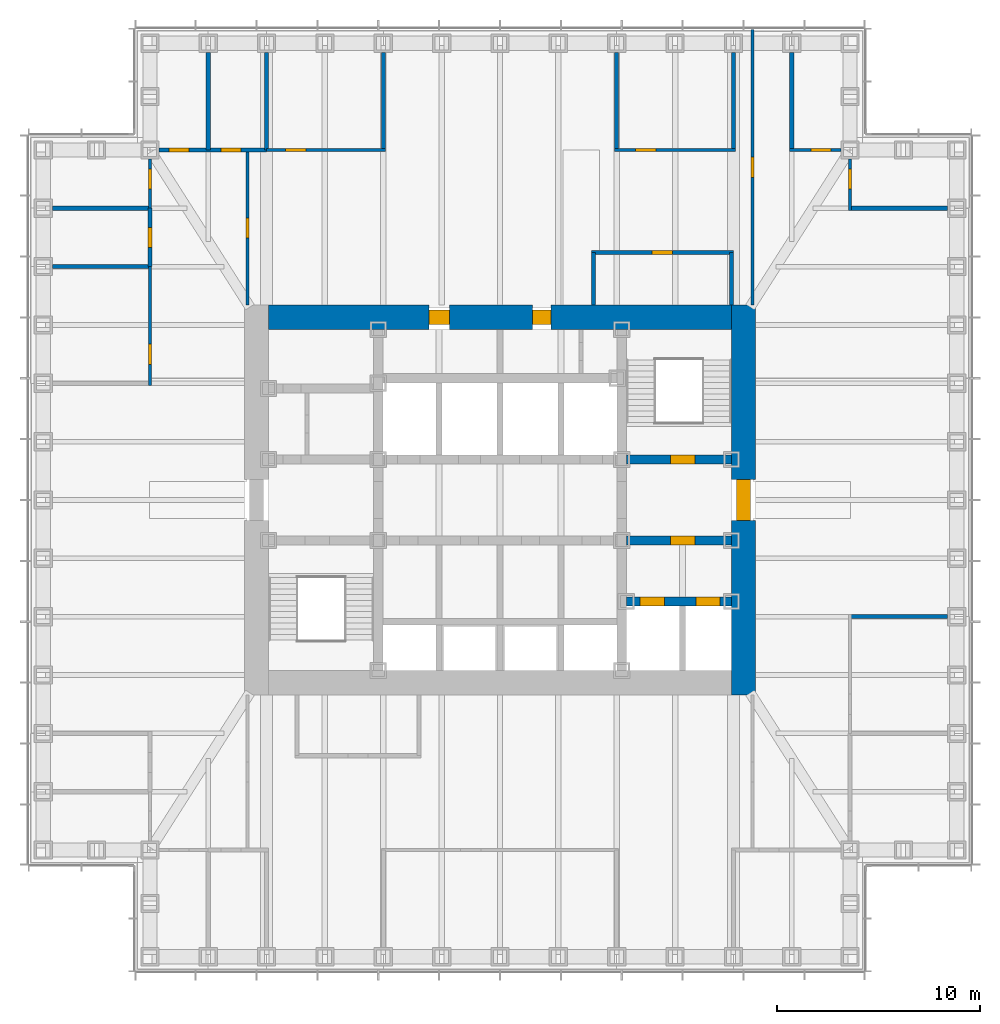
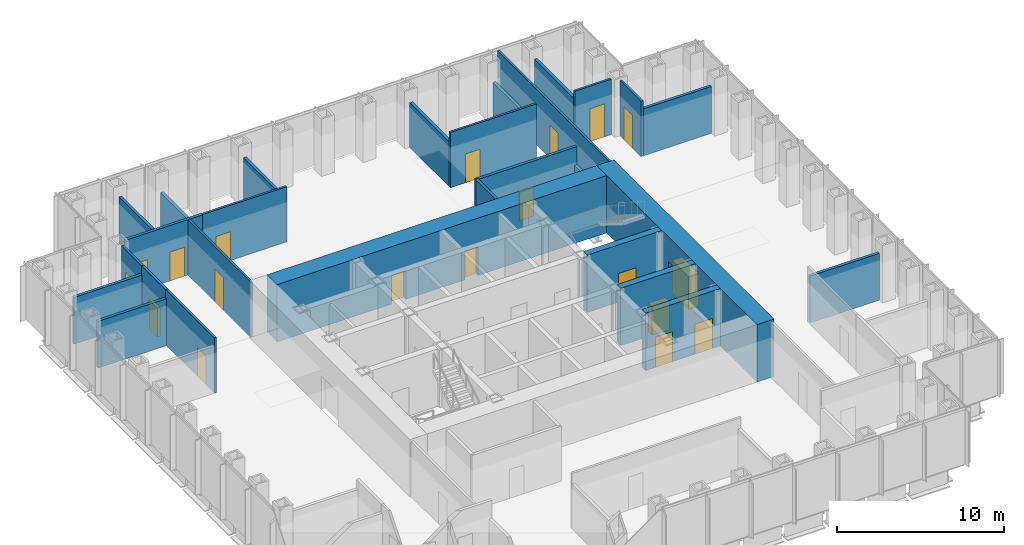
# One storey, part 10 of 17: 28 walls, 19 doors, 19 openings.
"""IFC4 building model written with IfcOpenShell, lengths in metres."""

import ifcopenshell
import ifcopenshell.guid

model = None  # the IFC model being written
_history = None  # IfcOwnerHistory: only IFC2X3 demands one
_inside = {}  # id of a spatial element -> (the spatial element, [elements in it])
_under = {}  # id of a project, library or spatial element -> (it, [spatial elements below it])
_declared = {}  # id of a project -> (the project, [libraries it declares])
_typed = {}  # id of a type object -> (the type object, [elements of that type])
_made_of = {}  # id of a material, layer set ... -> (it, [elements and type objects made of it])


def new_model(schema):
    """Start an empty IFC model of exactly this schema.

    Asked for "IFC4X3", IfcOpenShell would pick the latest addendum, in which some entities
    have other attributes; the version numbers below select the first issue.
    IFC2X3 requires an IfcOwnerHistory on every rooted entity: one is made here for all.
    """
    global model, _history
    if schema == "IFC4X3":
        model = ifcopenshell.file(schema_version=(4, 3, 0, 0))
    else:
        model = ifcopenshell.file(schema=schema)
    _inside.clear()
    _under.clear()
    _declared.clear()
    _typed.clear()
    _made_of.clear()
    _history = None
    if model.schema == "IFC2X3":
        org = make("IfcOrganization", Name="unknown")
        user = make(
            "IfcPersonAndOrganization",
            ThePerson=make("IfcPerson", FamilyName="unknown"),
            TheOrganization=org,
        )
        app = make(
            "IfcApplication",
            ApplicationDeveloper=org,
            Version="unknown",
            ApplicationFullName="unknown",
            ApplicationIdentifier="unknown",
        )
        _history = make(
            "IfcOwnerHistory",
            OwningUser=user,
            OwningApplication=app,
            ChangeAction="ADDED",
            CreationDate=0,
        )
    return model


def make(cls, **values):
    """One entity of the class cls with the attributes given. An attribute that is None is left unset."""
    return model.create_entity(
        cls, **{name: value for name, value in values.items() if value is not None}
    )


def rooted(cls, **values):
    """An entity with a GlobalId (a new one), such as an element, a storey or a relation."""
    return make(cls, GlobalId=ifcopenshell.guid.new(), OwnerHistory=_history, **values)


def si_unit(unit_type, name, prefix=None):
    """IfcSIUnit, for example si_unit("LENGTHUNIT", "METRE", prefix="MILLI")."""
    return make("IfcSIUnit", UnitType=unit_type, Prefix=prefix, Name=name)


def assignment(units):
    """IfcUnitAssignment: the units of a project."""
    return None if units is None else make("IfcUnitAssignment", Units=units)


def point(xyz):
    """IfcCartesianPoint."""
    return None if xyz is None else make("IfcCartesianPoint", Coordinates=xyz)


def direction(xyz):
    """IfcDirection."""
    return None if xyz is None else make("IfcDirection", DirectionRatios=xyz)


def frame(location, z_axis=None, x_axis=None):
    """IfcAxis2Placement3D, a coordinate frame: its origin and axes. An axis left out is left unset."""
    return make(
        "IfcAxis2Placement3D",
        Location=point(location),
        Axis=direction(z_axis),
        RefDirection=direction(x_axis),
    )


def frame_2d(location, x_axis=None):
    """IfcAxis2Placement2D, a coordinate frame in the plane: its origin and x axis."""
    return make(
        "IfcAxis2Placement2D", Location=point(location), RefDirection=direction(x_axis)
    )


def origin():
    """The frame at (0, 0, 0) with its axes left unset."""
    return frame((0.0, 0.0, 0.0))


def place(relative_to, where):
    """IfcLocalPlacement: puts the frame where relative to a parent placement (None: the world)."""
    return make(
        "IfcLocalPlacement", PlacementRelTo=relative_to, RelativePlacement=where
    )


def context(
    kind, dimensions, precision=None, world=None, true_north=None, identifier=None
):
    """IfcGeometricRepresentationContext, for example the 3D "Model" context."""
    return make(
        "IfcGeometricRepresentationContext",
        ContextIdentifier=identifier,
        ContextType=kind,
        CoordinateSpaceDimension=dimensions,
        Precision=precision,
        WorldCoordinateSystem=world,
        TrueNorth=true_north,
    )


def subcontext(parent, identifier, kind, view, scale=None):
    """IfcGeometricRepresentationSubContext, for example "Body" below "Model"."""
    return make(
        "IfcGeometricRepresentationSubContext",
        ContextIdentifier=identifier,
        ContextType=kind,
        ParentContext=parent,
        TargetScale=scale,
        TargetView=view,
    )


def project(units=None, contexts=None):
    """IfcProject with its units and contexts."""
    return rooted(
        "IfcProject",
        Name="project",
        RepresentationContexts=contexts,
        UnitsInContext=assignment(units),
    )


def spatial(cls, under=None, at=None, **own):
    """A site, building, storey or space (cls), placed at a placement, below another one or the project."""
    s = rooted(cls, ObjectPlacement=at, **own)
    if under is not None:
        _under.setdefault(under.id(), (under, []))[1].append(s)
    return s


def profile(cls, at=None, kind="AREA", **sizes):
    """A parametric profile (cls). Its sizes go by their IFC names, for example OverallWidth=200.0."""
    return make(cls, ProfileType=kind, Position=at, **sizes)


def rectangle(**sizes):
    """IfcRectangleProfileDef."""
    return profile("IfcRectangleProfileDef", **sizes)


def extrude(swept, where, along, depth):
    """IfcExtrudedAreaSolid: the profile swept, set in the frame where, extruded along a direction by depth."""
    return make(
        "IfcExtrudedAreaSolid",
        SweptArea=swept,
        Position=where,
        ExtrudedDirection=direction(along),
        Depth=depth,
    )


def shape(context_of_items, identifier, shape_type, items):
    """IfcShapeRepresentation: the items that make up one representation, for example the "Body"."""
    return make(
        "IfcShapeRepresentation",
        ContextOfItems=context_of_items,
        RepresentationIdentifier=identifier,
        RepresentationType=shape_type,
        Items=items,
    )


def material(Name=None, Category=None):
    """IfcMaterial."""
    return make("IfcMaterial", Name=Name, Category=Category)


def layer(
    of_material, thickness, ventilated=None, Name=None, Category=None, Priority=None
):
    """IfcMaterialLayer: one layer of a wall or slab, of a material (None: an air gap)."""
    return make(
        "IfcMaterialLayer",
        Material=of_material,
        LayerThickness=thickness,
        IsVentilated=ventilated,
        Name=Name,
        Category=Category,
        Priority=Priority,
    )


def layer_set(layers, Name=None):
    """IfcMaterialLayerSet."""
    return make("IfcMaterialLayerSet", MaterialLayers=layers, LayerSetName=Name)


def made_of(thing, what):
    """Note that an element or type object is made of a material, layer set ...; save() writes the relation."""
    if what is not None:
        _made_of.setdefault(what.id(), (what, []))[1].append(thing)
    return thing


def type_object(cls, material=None, **own):
    """A type object (cls), such as IfcWallType, which elements share."""
    return made_of(rooted(cls, **own), material)


def element(
    cls,
    number,
    at=None,
    inside=None,
    cuts=None,
    type_object=None,
    material=None,
    context=None,
    identifier="Body",
    shape_type=None,
    held_by="IfcProductDefinitionShape",
    body=None,
    shapes=None,
    **own,
):
    """One element of the class cls, such as IfcWall. Its Tag is "e" and its number.

    at: its placement. inside: the storey or other place that contains it. cuts: it is an
    opening in that element (IfcRelVoidsElement). A single representation is given by context,
    identifier, shape_type and body (its items); several are given by shapes. held_by: the class
    of the entity that holds the representations. save() writes the other relations.
    """
    e = rooted(cls, Tag="e%d" % number, ObjectPlacement=at, **own)
    if body is not None:
        shapes = [shape(context, identifier, shape_type, body)]
    if shapes is not None:
        e.Representation = make(held_by, Representations=shapes)
    if inside is not None:
        _inside.setdefault(inside.id(), (inside, []))[1].append(e)
    if cuts is not None:
        rooted(
            "IfcRelVoidsElement", RelatingBuildingElement=cuts, RelatedOpeningElement=e
        )
    if type_object is not None:
        _typed.setdefault(type_object.id(), (type_object, []))[1].append(e)
    return made_of(e, material)


def fill(opening, filler):
    """IfcRelFillsElement: the door or window that sits in an opening."""
    return rooted(
        "IfcRelFillsElement",
        RelatingOpeningElement=opening,
        RelatedBuildingElement=filler,
    )


def aggregate(whole, parts):
    """IfcRelAggregates: a whole, such as a stair, and the parts it consists of."""
    return rooted("IfcRelAggregates", RelatingObject=whole, RelatedObjects=parts)


def save(model, path):
    """Write the relations noted so far, then the file.

    IfcRelAggregates (storeys below a building ...), IfcRelContainedInSpatialStructure (elements
    in a storey), IfcRelDefinesByType, IfcRelAssociatesMaterial and IfcRelDeclares: one each for
    every whole, place, type object, material and project.
    """
    for whole, parts in _under.values():
        aggregate(whole, parts)
    for where, things in _inside.values():
        rooted(
            "IfcRelContainedInSpatialStructure",
            RelatedElements=things,
            RelatingStructure=where,
        )
    for kind, things in _typed.values():
        rooted("IfcRelDefinesByType", RelatedObjects=things, RelatingType=kind)
    for what, things in _made_of.values():
        rooted("IfcRelAssociatesMaterial", RelatedObjects=things, RelatingMaterial=what)
    for by, libraries in _declared.values():
        rooted("IfcRelDeclares", RelatingContext=by, RelatedDefinitions=libraries)
    model.write(path)


model = new_model("IFC4")

# Units and contexts
model_context = context("Model", 3, precision=1e-05, world=origin(), true_north=direction((0.0, 1.0)))
body_context = subcontext(model_context, "Body", "Model", "MODEL_VIEW")
ifc_project = project(units=[si_unit("LENGTHUNIT", "METRE"), si_unit("AREAUNIT", "SQUARE_METRE"), si_unit("VOLUMEUNIT", "CUBIC_METRE"), si_unit("PLANEANGLEUNIT", "RADIAN"), si_unit("MASSUNIT", "GRAM", prefix="KILO")], contexts=[model_context])

# Site, building, storey
site_placement = place(None, origin())
site = spatial("IfcSite", under=ifc_project, at=site_placement, CompositionType="ELEMENT")
building_placement = place(site_placement, origin())
building = spatial("IfcBuilding", under=site, at=building_placement, Name="Daluyong Arena Tower", CompositionType="ELEMENT")
storey_placement = place(building_placement, frame((0.0, 0.0, 145.89990234375)))
storey = spatial("IfcBuildingStorey", under=building, at=storey_placement, Name="L32", CompositionType="ELEMENT", Elevation=145.89990234375)

# Wall, openings, doors
ifc_material_1 = material(Name="Concrete fc' 45 MPa", Category="concrete")
ifc_layer_1 = layer(ifc_material_1, 0.449951171875)
ifc_layer_set_1 = layer_set([ifc_layer_1], Name="Concrete fc' 45 MPa")
wall_type_1 = type_object("IfcWallType", Name="Core inner wall 450", PredefinedType="SHEAR", material=ifc_layer_set_1)
wall_1_placement = place(storey_placement, frame((62.22509765625, 75.0, 0.0), z_axis=(0.0, 0.0, 1.0), x_axis=(1.0, 0.0, 0.0)))
wall_1 = element("IfcWall", 1, at=wall_1_placement, inside=storey, type_object=wall_type_1, Name="core inner wall at L32", PredefinedType="SHEAR", context=body_context, shape_type="SweptSolid", body=[
    extrude(rectangle(XDim=5.1748046875, YDim=0.449951171875, at=frame_2d((2.58740234375, 0.0))), origin(), (0.0, 0.0, 1.0), 4.2001953125),
])
opening_1_placement = place(wall_1_placement, frame((0.675048828125, 0.0, 0.0)))
opening_1 = element("IfcOpeningElement", 2, at=opening_1_placement, cuts=wall_1, Name="Opening 32022", PredefinedType="OPENING", context=body_context, shape_type="SweptSolid", body=[
    extrude(rectangle(XDim=1.199951171875, YDim=2.199951171875, at=frame_2d((0.60009765625, 1.10009765625))), frame((0.0, 0.23486328125, 0.0), z_axis=(0.0, -1.0, 0.0), x_axis=(1.0, 0.0, 0.0)), (0.0, 0.0, 1.0), 0.469970703125),
])
opening_2_placement = place(wall_1_placement, frame((3.425048828125, 0.0, 0.0)))
opening_2 = element("IfcOpeningElement", 3, at=opening_2_placement, cuts=wall_1, Name="Opening 32023", PredefinedType="OPENING", context=body_context, shape_type="SweptSolid", body=[
    extrude(rectangle(XDim=1.199951171875, YDim=2.199951171875, at=frame_2d((0.60009765625, 1.10009765625))), frame((0.0, 0.23486328125, 0.0), z_axis=(0.0, -1.0, 0.0), x_axis=(1.0, 0.0, 0.0)), (0.0, 0.0, 1.0), 0.469970703125),
])
ifc_material_2 = material(Name="Steel door, fire rated", Category="steel")
door_type_1 = type_object("IfcDoorType", Name="Firefighting lift landing door 1200", OperationType="SLIDING_TO_LEFT", PredefinedType="DOOR", material=ifc_material_2)
door_1_placement = place(opening_1_placement, origin())
door_1 = element("IfcDoor", 4, at=door_1_placement, inside=storey, type_object=door_type_1, Name="firefighting lift landing door F1 32022", OperationType="SLIDING_TO_LEFT", OverallHeight=2.199951171875, OverallWidth=1.199951171875, PredefinedType="DOOR", context=body_context, shape_type="SweptSolid", body=[
    extrude(rectangle(XDim=1.199951171875, YDim=2.199951171875, at=frame_2d((0.60009765625, 1.10009765625))), frame((0.0, 0.224609375, 0.0), z_axis=(0.0, -1.0, 0.0), x_axis=(1.0, 0.0, 0.0)), (0.0, 0.0, 1.0), 0.449462890625),
])
fill(opening_1, door_1)
door_2_placement = place(opening_2_placement, origin())
door_2 = element("IfcDoor", 5, at=door_2_placement, inside=storey, type_object=door_type_1, Name="firefighting lift landing door F2 32023", OperationType="SLIDING_TO_LEFT", OverallHeight=2.199951171875, OverallWidth=1.199951171875, PredefinedType="DOOR", context=body_context, shape_type="SweptSolid", body=[
    extrude(rectangle(XDim=1.199951171875, YDim=2.199951171875, at=frame_2d((0.60009765625, 1.10009765625))), frame((0.0, 0.224609375, 0.0), z_axis=(0.0, -1.0, 0.0), x_axis=(1.0, 0.0, 0.0)), (0.0, 0.0, 1.0), 0.449462890625),
])
fill(opening_2, door_2)

# Wall, opening, door
wall_2_placement = place(storey_placement, frame((62.22509765625, 78.0, 0.0), z_axis=(0.0, 0.0, 1.0), x_axis=(1.0, 0.0, 0.0)))
wall_2 = element("IfcWall", 6, at=wall_2_placement, inside=storey, type_object=wall_type_1, Name="core inner wall at L32", PredefinedType="SHEAR", context=body_context, shape_type="SweptSolid", body=[
    extrude(rectangle(XDim=5.1748046875, YDim=0.449951171875, at=frame_2d((2.58740234375, 0.0))), origin(), (0.0, 0.0, 1.0), 4.2001953125),
])
opening_3_placement = place(wall_2_placement, frame((2.175048828125, 0.0, 0.0)))
opening_3 = element("IfcOpeningElement", 7, at=opening_3_placement, cuts=wall_2, Name="Opening 32017", PredefinedType="OPENING", context=body_context, shape_type="SweptSolid", body=[
    extrude(rectangle(XDim=1.199951171875, YDim=2.10009765625, at=frame_2d((0.60009765625, 1.050048828125))), frame((0.0, 0.23486328125, 0.0), z_axis=(0.0, -1.0, 0.0), x_axis=(1.0, 0.0, 0.0)), (0.0, 0.0, 1.0), 0.469970703125),
])
ifc_material_3 = material(Name="Steel door, fire rated", Category="steel")
door_type_2 = type_object("IfcDoorType", Name="Firefighting lobby door 1200", OperationType="SINGLE_SWING_RIGHT", PredefinedType="DOOR", material=ifc_material_3)
door_3_placement = place(opening_3_placement, origin())
door_3 = element("IfcDoor", 8, at=door_3_placement, inside=storey, type_object=door_type_2, Name="firefighting lobby door 32017", OperationType="SINGLE_SWING_RIGHT", OverallHeight=2.10009765625, OverallWidth=1.199951171875, PredefinedType="DOOR", context=body_context, shape_type="SweptSolid", body=[
    extrude(rectangle(XDim=1.199951171875, YDim=2.10009765625, at=frame_2d((0.60009765625, 1.050048828125))), frame((0.0, 0.224609375, 0.0), z_axis=(0.0, -1.0, 0.0), x_axis=(1.0, 0.0, 0.0)), (0.0, 0.0, 1.0), 0.449462890625),
])
fill(opening_3, door_3)

wall_3_placement = place(storey_placement, frame((62.22509765625, 82.0, 0.0), z_axis=(0.0, 0.0, 1.0), x_axis=(1.0, 0.0, 0.0)))
wall_3 = element("IfcWall", 9, at=wall_3_placement, inside=storey, type_object=wall_type_1, Name="core inner wall at L32", PredefinedType="SHEAR", context=body_context, shape_type="SweptSolid", body=[
    extrude(rectangle(XDim=5.1748046875, YDim=0.449951171875, at=frame_2d((2.58740234375, 0.0))), origin(), (0.0, 0.0, 1.0), 4.2001953125),
])
opening_4_placement = place(wall_3_placement, frame((2.175048828125, 0.0, 0.0)))
opening_4 = element("IfcOpeningElement", 10, at=opening_4_placement, cuts=wall_3, Name="Opening 32012", PredefinedType="OPENING", context=body_context, shape_type="SweptSolid", body=[
    extrude(rectangle(XDim=1.199951171875, YDim=2.10009765625, at=frame_2d((0.60009765625, 1.050048828125))), frame((0.0, 0.23486328125, 0.0), z_axis=(0.0, -1.0, 0.0), x_axis=(1.0, 0.0, 0.0)), (0.0, 0.0, 1.0), 0.469970703125),
])
ifc_material_4 = material(Name="Steel door, fire rated", Category="steel")
door_type_3 = type_object("IfcDoorType", Name="Stair door 1200", OperationType="SINGLE_SWING_LEFT", PredefinedType="DOOR", material=ifc_material_4)
door_4_placement = place(opening_4_placement, origin())
door_4 = element("IfcDoor", 11, at=door_4_placement, inside=storey, type_object=door_type_3, Name="stair B door 32012", OperationType="SINGLE_SWING_LEFT", OverallHeight=2.10009765625, OverallWidth=1.199951171875, PredefinedType="DOOR", context=body_context, shape_type="SweptSolid", body=[
    extrude(rectangle(XDim=1.199951171875, YDim=2.10009765625, at=frame_2d((0.60009765625, 1.050048828125))), frame((0.0, 0.224609375, 0.0), z_axis=(0.0, -1.0, 0.0), x_axis=(1.0, 0.0, 0.0)), (0.0, 0.0, 1.0), 0.449462890625),
])
fill(opening_4, door_4)

ifc_material_5 = material(Name="Concrete fc' 60 MPa", Category="concrete")
ifc_layer_2 = layer(ifc_material_5, 1.199951171875)
ifc_layer_set_2 = layer_set([ifc_layer_2], Name="Concrete fc' 60 MPa")
wall_type_2 = type_object("IfcWallType", Name="Core wall 1200", PredefinedType="SHEAR", material=ifc_layer_set_2)
wall_4_placement = place(storey_placement, frame((68.0, 70.39990234375, 0.0), z_axis=(0.0, 0.0, 1.0), x_axis=(0.0, 1.0, 0.0)))
wall_4 = element("IfcWall", 12, at=wall_4_placement, inside=storey, type_object=wall_type_2, Name="core wall at L32", PredefinedType="SHEAR", context=body_context, shape_type="SweptSolid", body=[
    extrude(rectangle(XDim=19.2001953125, YDim=1.199951171875, at=frame_2d((9.60009765625, 0.0))), origin(), (0.0, 0.0, 1.0), 4.2001953125),
])
opening_5_placement = place(wall_4_placement, frame((8.60009765625, 0.0, 0.0)))
opening_5 = element("IfcOpeningElement", 13, at=opening_5_placement, cuts=wall_4, Name="Opening 32014", PredefinedType="OPENING", context=body_context, shape_type="SweptSolid", body=[
    extrude(rectangle(XDim=2.0, YDim=2.39990234375, at=frame_2d((1.0, 1.199951171875))), frame((0.0, 0.60986328125, 0.0), z_axis=(0.0, -1.0, 0.0), x_axis=(1.0, 0.0, 0.0)), (0.0, 0.0, 1.0), 1.219970703125),
])
ifc_material_6 = material(Name="Steel door, fire rated", Category="steel")
door_type_4 = type_object("IfcDoorType", Name="Core lobby double door 2000", OperationType="DOUBLE_DOOR_SINGLE_SWING", PredefinedType="DOOR", material=ifc_material_6)
door_5_placement = place(opening_5_placement, origin())
door_5 = element("IfcDoor", 14, at=door_5_placement, inside=storey, type_object=door_type_4, Name="core lobby door east 32014", OperationType="DOUBLE_DOOR_SINGLE_SWING", OverallHeight=2.39990234375, OverallWidth=2.0, PredefinedType="DOOR", context=body_context, shape_type="SweptSolid", body=[
    extrude(rectangle(XDim=2.0, YDim=2.39990234375, at=frame_2d((1.0, 1.199951171875))), frame((0.0, 0.35009765625, 0.0), z_axis=(0.0, -1.0, 0.0), x_axis=(1.0, 0.0, 0.0)), (0.0, 0.0, 1.0), 0.699951171875),
])
fill(opening_5, door_5)

# Wall, openings, doors
wall_5_placement = place(storey_placement, frame((44.60009765625, 89.0, 0.0), z_axis=(0.0, 0.0, 1.0), x_axis=(1.0, 0.0, 0.0)))
wall_5 = element("IfcWall", 15, at=wall_5_placement, inside=storey, type_object=wall_type_2, Name="core wall at L32", PredefinedType="SHEAR", context=body_context, shape_type="SweptSolid", body=[
    extrude(rectangle(XDim=22.7998046875, YDim=1.199951171875, at=frame_2d((11.39990234375, 0.0))), origin(), (0.0, 0.0, 1.0), 4.2001953125),
])
opening_6_placement = place(wall_5_placement, frame((7.89990234375, 0.0, 0.0)))
opening_6 = element("IfcOpeningElement", 16, at=opening_6_placement, cuts=wall_5, Name="Opening 32004", PredefinedType="OPENING", context=body_context, shape_type="SweptSolid", body=[
    extrude(rectangle(XDim=1.0, YDim=2.10009765625, at=frame_2d((0.5, 1.050048828125))), frame((0.0, 0.60986328125, 0.0), z_axis=(0.0, -1.0, 0.0), x_axis=(1.0, 0.0, 0.0)), (0.0, 0.0, 1.0), 1.219970703125),
])
opening_7_placement = place(wall_5_placement, frame((13.012451171875, 0.0, 0.0)))
opening_7 = element("IfcOpeningElement", 17, at=opening_7_placement, cuts=wall_5, Name="Opening 32005", PredefinedType="OPENING", context=body_context, shape_type="SweptSolid", body=[
    extrude(rectangle(XDim=0.89990234375, YDim=2.10009765625, at=frame_2d((0.449951171875, 1.050048828125))), frame((0.0, 0.60986328125, 0.0), z_axis=(0.0, -1.0, 0.0), x_axis=(1.0, 0.0, 0.0)), (0.0, 0.0, 1.0), 1.219970703125),
])
ifc_material_7 = material(Name="Timber door", Category="wood")
door_type_5 = type_object("IfcDoorType", Name="Accessible toilet door 1000", OperationType="SINGLE_SWING_LEFT", PredefinedType="DOOR", material=ifc_material_7)
door_6_placement = place(opening_6_placement, origin())
door_6 = element("IfcDoor", 18, at=door_6_placement, inside=storey, type_object=door_type_5, Name="accessible toilet door 32004", OperationType="SINGLE_SWING_LEFT", OverallHeight=2.10009765625, OverallWidth=1.0, PredefinedType="DOOR", context=body_context, shape_type="SweptSolid", body=[
    extrude(rectangle(XDim=1.0, YDim=2.10009765625, at=frame_2d((0.5, 1.050048828125))), frame((0.0, 0.35009765625, 0.0), z_axis=(0.0, -1.0, 0.0), x_axis=(1.0, 0.0, 0.0)), (0.0, 0.0, 1.0), 0.699951171875),
])
fill(opening_6, door_6)
ifc_material_8 = material(Name="Steel door, fire rated", Category="steel")
door_type_6 = type_object("IfcDoorType", Name="Core store door 900", OperationType="SINGLE_SWING_LEFT", PredefinedType="DOOR", material=ifc_material_8)
door_7_placement = place(opening_7_placement, origin())
door_7 = element("IfcDoor", 19, at=door_7_placement, inside=storey, type_object=door_type_6, Name="security store door 32005", OperationType="SINGLE_SWING_LEFT", OverallHeight=2.10009765625, OverallWidth=0.89990234375, PredefinedType="DOOR", context=body_context, shape_type="SweptSolid", body=[
    extrude(rectangle(XDim=0.89990234375, YDim=2.10009765625, at=frame_2d((0.449951171875, 1.050048828125))), frame((0.0, 0.35009765625, 0.0), z_axis=(0.0, -1.0, 0.0), x_axis=(1.0, 0.0, 0.0)), (0.0, 0.0, 1.0), 0.699951171875),
])
fill(opening_7, door_7)

# Wall, opening, door
ifc_material_9 = material(Name="Glazed aluminium partition", Category="aluminium")
ifc_layer_3 = layer(ifc_material_9, 0.14990234375)
ifc_layer_set_3 = layer_set([ifc_layer_3], Name="Glazed aluminium partition")
wall_type_3 = type_object("IfcWallType", Name="Glazed partition 150", PredefinedType="PARTITIONING", material=ifc_layer_set_3)
wall_6_placement = place(storey_placement, frame((44.5, 97.25, 0.0), z_axis=(0.0, 0.0, 1.0), x_axis=(1.0, 0.0, 0.0)))
wall_6 = element("IfcWall", 20, at=wall_6_placement, inside=storey, type_object=wall_type_3, Name="glazed partition at L32", PredefinedType="PARTITIONING", context=body_context, shape_type="SweptSolid", body=[
    extrude(rectangle(XDim=5.85009765625, YDim=0.14990234375, at=frame_2d((2.925048828125, 0.0))), origin(), (0.0, 0.0, 1.0), 4.0400390625),
])
opening_8_placement = place(wall_6_placement, frame((0.9375, 0.0, 0.0)))
opening_8 = element("IfcOpeningElement", 21, at=opening_8_placement, cuts=wall_6, Name="Opening 32033", PredefinedType="OPENING", context=body_context, shape_type="SweptSolid", body=[
    extrude(rectangle(XDim=1.0, YDim=2.10009765625, at=frame_2d((0.5, 1.050048828125))), frame((0.0, 0.0849609375, 0.0), z_axis=(0.0, -1.0, 0.0), x_axis=(1.0, 0.0, 0.0)), (0.0, 0.0, 1.0), 0.169921875),
])
ifc_material_10 = material(Name="Timber door", Category="wood")
door_type_7 = type_object("IfcDoorType", Name="Room door 1000", OperationType="SINGLE_SWING_LEFT", PredefinedType="DOOR", material=ifc_material_10)
door_8_placement = place(opening_8_placement, origin())
door_8 = element("IfcDoor", 22, at=door_8_placement, inside=storey, type_object=door_type_7, Name="office door 32033", OperationType="SINGLE_SWING_LEFT", OverallHeight=2.10009765625, OverallWidth=1.0, PredefinedType="DOOR", context=body_context, shape_type="SweptSolid", body=[
    extrude(rectangle(XDim=1.0, YDim=2.10009765625, at=frame_2d((0.5, 1.050048828125))), frame((0.0, 0.07470703125, 0.0), z_axis=(0.0, -1.0, 0.0), x_axis=(1.0, 0.0, 0.0)), (0.0, 0.0, 1.0), 0.1494140625),
])
fill(opening_8, door_8)

wall_7_placement = place(storey_placement, frame((61.64990234375, 97.25, 0.0), z_axis=(0.0, 0.0, 1.0), x_axis=(1.0, 0.0, 0.0)))
wall_7 = element("IfcWall", 23, at=wall_7_placement, inside=storey, type_object=wall_type_3, Name="glazed partition at L32", PredefinedType="PARTITIONING", context=body_context, shape_type="SweptSolid", body=[
    extrude(rectangle(XDim=5.9501953125, YDim=0.14990234375, at=frame_2d((2.97509765625, 0.0))), origin(), (0.0, 0.0, 1.0), 4.0400390625),
])
opening_9_placement = place(wall_7_placement, frame((1.03759765625, 0.0, 0.0)))
opening_9 = element("IfcOpeningElement", 24, at=opening_9_placement, cuts=wall_7, Name="Opening 32034", PredefinedType="OPENING", context=body_context, shape_type="SweptSolid", body=[
    extrude(rectangle(XDim=1.0, YDim=2.10009765625, at=frame_2d((0.5, 1.050048828125))), frame((0.0, 0.0849609375, 0.0), z_axis=(0.0, -1.0, 0.0), x_axis=(1.0, 0.0, 0.0)), (0.0, 0.0, 1.0), 0.169921875),
])
door_9_placement = place(opening_9_placement, origin())
door_9 = element("IfcDoor", 25, at=door_9_placement, inside=storey, type_object=door_type_7, Name="office door 32034", OperationType="SINGLE_SWING_LEFT", OverallHeight=2.10009765625, OverallWidth=1.0, PredefinedType="DOOR", context=body_context, shape_type="SweptSolid", body=[
    extrude(rectangle(XDim=1.0, YDim=2.10009765625, at=frame_2d((0.5, 1.050048828125))), frame((0.0, 0.07470703125, 0.0), z_axis=(0.0, -1.0, 0.0), x_axis=(1.0, 0.0, 0.0)), (0.0, 0.0, 1.0), 0.1494140625),
])
fill(opening_9, door_9)

wall_8_placement = place(storey_placement, frame((70.27490234375, 97.25, 0.0), z_axis=(0.0, 0.0, 1.0), x_axis=(1.0, 0.0, 0.0)))
wall_8 = element("IfcWall", 26, at=wall_8_placement, inside=storey, type_object=wall_type_3, Name="glazed partition at L32", PredefinedType="PARTITIONING", context=body_context, shape_type="SweptSolid", body=[
    extrude(rectangle(XDim=2.525146484375, YDim=0.14990234375, at=frame_2d((1.2626953125, 0.0))), origin(), (0.0, 0.0, 1.0), 4.0400390625),
])
opening_10_placement = place(wall_8_placement, frame((1.03759765625, 0.0, 0.0)))
opening_10 = element("IfcOpeningElement", 27, at=opening_10_placement, cuts=wall_8, Name="Opening 32035", PredefinedType="OPENING", context=body_context, shape_type="SweptSolid", body=[
    extrude(rectangle(XDim=1.0, YDim=2.39990234375, at=frame_2d((0.5, 1.199951171875))), frame((0.0, 0.0849609375, 0.0), z_axis=(0.0, -1.0, 0.0), x_axis=(1.0, 0.0, 0.0)), (0.0, 0.0, 1.0), 0.169921875),
])
ifc_material_11 = material(Name="Glazed aluminium door", Category="aluminium")
door_type_8 = type_object("IfcDoorType", Name="Meeting room glazed door 1000", OperationType="SINGLE_SWING_RIGHT", PredefinedType="DOOR", material=ifc_material_11)
door_10_placement = place(opening_10_placement, origin())
door_10 = element("IfcDoor", 28, at=door_10_placement, inside=storey, type_object=door_type_8, Name="meeting room door 32035", OperationType="SINGLE_SWING_RIGHT", OverallHeight=2.39990234375, OverallWidth=1.0, PredefinedType="DOOR", context=body_context, shape_type="SweptSolid", body=[
    extrude(rectangle(XDim=1.0, YDim=2.39990234375, at=frame_2d((0.5, 1.199951171875))), frame((0.0, 0.07470703125, 0.0), z_axis=(0.0, -1.0, 0.0), x_axis=(1.0, 0.0, 0.0)), (0.0, 0.0, 1.0), 0.1494140625),
])
fill(opening_10, door_10)

wall_9_placement = place(storey_placement, frame((38.75, 85.64990234375, 0.0), z_axis=(0.0, 0.0, 1.0), x_axis=(0.0, 1.0, 0.0)))
wall_9 = element("IfcWall", 29, at=wall_9_placement, inside=storey, type_object=wall_type_3, Name="glazed partition at L32", PredefinedType="PARTITIONING", context=body_context, shape_type="SweptSolid", body=[
    extrude(rectangle(XDim=5.85009765625, YDim=0.14990234375, at=frame_2d((2.925048828125, 0.0))), origin(), (0.0, 0.0, 1.0), 4.0400390625),
])
opening_11_placement = place(wall_9_placement, frame((1.03759765625, 0.0, 0.0)))
opening_11 = element("IfcOpeningElement", 30, at=opening_11_placement, cuts=wall_9, Name="Opening 32038", PredefinedType="OPENING", context=body_context, shape_type="SweptSolid", body=[
    extrude(rectangle(XDim=1.0, YDim=2.10009765625, at=frame_2d((0.5, 1.050048828125))), frame((0.0, 0.0849609375, 0.0), z_axis=(0.0, -1.0, 0.0), x_axis=(1.0, 0.0, 0.0)), (0.0, 0.0, 1.0), 0.169921875),
])
door_11_placement = place(opening_11_placement, origin())
door_11 = element("IfcDoor", 31, at=door_11_placement, inside=storey, type_object=door_type_7, Name="office door 32038", OperationType="SINGLE_SWING_LEFT", OverallHeight=2.10009765625, OverallWidth=1.0, PredefinedType="DOOR", context=body_context, shape_type="SweptSolid", body=[
    extrude(rectangle(XDim=1.0, YDim=2.10009765625, at=frame_2d((0.5, 1.050048828125))), frame((0.0, 0.07470703125, 0.0), z_axis=(0.0, -1.0, 0.0), x_axis=(1.0, 0.0, 0.0)), (0.0, 0.0, 1.0), 0.1494140625),
])
fill(opening_11, door_11)

wall_10_placement = place(storey_placement, frame((38.75, 94.375, 0.0), z_axis=(0.0, 0.0, 1.0), x_axis=(0.0, 1.0, 0.0)))
wall_10 = element("IfcWall", 32, at=wall_10_placement, inside=storey, type_object=wall_type_3, Name="glazed partition at L32", PredefinedType="PARTITIONING", context=body_context, shape_type="SweptSolid", body=[
    extrude(rectangle(XDim=2.425048828125, YDim=0.14990234375, at=frame_2d((1.21240234375, 0.0))), origin(), (0.0, 0.0, 1.0), 4.0400390625),
])
opening_12_placement = place(wall_10_placement, frame((0.9375, 0.0, 0.0)))
opening_12 = element("IfcOpeningElement", 33, at=opening_12_placement, cuts=wall_10, Name="Opening 32040", PredefinedType="OPENING", context=body_context, shape_type="SweptSolid", body=[
    extrude(rectangle(XDim=1.0, YDim=2.39990234375, at=frame_2d((0.5, 1.199951171875))), frame((0.0, 0.0849609375, 0.0), z_axis=(0.0, -1.0, 0.0), x_axis=(1.0, 0.0, 0.0)), (0.0, 0.0, 1.0), 0.169921875),
])
door_12_placement = place(opening_12_placement, origin())
door_12 = element("IfcDoor", 34, at=door_12_placement, inside=storey, type_object=door_type_8, Name="meeting room door 32040", OperationType="SINGLE_SWING_RIGHT", OverallHeight=2.39990234375, OverallWidth=1.0, PredefinedType="DOOR", context=body_context, shape_type="SweptSolid", body=[
    extrude(rectangle(XDim=1.0, YDim=2.39990234375, at=frame_2d((0.5, 1.199951171875))), frame((0.0, 0.07470703125, 0.0), z_axis=(0.0, -1.0, 0.0), x_axis=(1.0, 0.0, 0.0)), (0.0, 0.0, 1.0), 0.1494140625),
])
fill(opening_12, door_12)

wall_11_placement = place(storey_placement, frame((43.550048828125, 89.60009765625, 0.0), z_axis=(0.0, 0.0, 1.0), x_axis=(0.0, 1.0, 0.0)))
wall_11 = element("IfcWall", 35, at=wall_11_placement, inside=storey, type_object=wall_type_3, Name="glazed partition at L32", PredefinedType="PARTITIONING", context=body_context, shape_type="SweptSolid", body=[
    extrude(rectangle(XDim=7.599853515625, YDim=0.14990234375, at=frame_2d((3.7998046875, 0.0))), origin(), (0.0, 0.0, 1.0), 4.0400390625),
])
opening_13_placement = place(wall_11_placement, frame((3.300048828125, 0.0, 0.0)))
opening_13 = element("IfcOpeningElement", 36, at=opening_13_placement, cuts=wall_11, Name="Opening 32045", PredefinedType="OPENING", context=body_context, shape_type="SweptSolid", body=[
    extrude(rectangle(XDim=1.0, YDim=2.39990234375, at=frame_2d((0.5, 1.199951171875))), frame((0.0, 0.0849609375, 0.0), z_axis=(0.0, -1.0, 0.0), x_axis=(1.0, 0.0, 0.0)), (0.0, 0.0, 1.0), 0.169921875),
])
door_13_placement = place(opening_13_placement, origin())
door_13 = element("IfcDoor", 37, at=door_13_placement, inside=storey, type_object=door_type_8, Name="team area screen door 32045", OperationType="SINGLE_SWING_RIGHT", OverallHeight=2.39990234375, OverallWidth=1.0, PredefinedType="DOOR", context=body_context, shape_type="SweptSolid", body=[
    extrude(rectangle(XDim=1.0, YDim=2.39990234375, at=frame_2d((0.5, 1.199951171875))), frame((0.0, 0.07470703125, 0.0), z_axis=(0.0, -1.0, 0.0), x_axis=(1.0, 0.0, 0.0)), (0.0, 0.0, 1.0), 0.1494140625),
])
fill(opening_13, door_13)

wall_12_placement = place(storey_placement, frame((68.449951171875, 89.60009765625, 0.0), z_axis=(0.0, 0.0, 1.0), x_axis=(0.0, 1.0, 0.0)))
wall_12 = element("IfcWall", 38, at=wall_12_placement, inside=storey, type_object=wall_type_3, Name="glazed partition at L32", PredefinedType="PARTITIONING", context=body_context, shape_type="SweptSolid", body=[
    extrude(rectangle(XDim=13.58984375, YDim=0.14990234375, at=frame_2d((6.794921875, 0.0))), origin(), (0.0, 0.0, 1.0), 4.0400390625),
])
opening_14_placement = place(wall_12_placement, frame((6.294921875, 0.0, 0.0)))
opening_14 = element("IfcOpeningElement", 39, at=opening_14_placement, cuts=wall_12, Name="Opening 32046", PredefinedType="OPENING", context=body_context, shape_type="SweptSolid", body=[
    extrude(rectangle(XDim=1.0, YDim=2.39990234375, at=frame_2d((0.5, 1.199951171875))), frame((0.0, 0.0849609375, 0.0), z_axis=(0.0, -1.0, 0.0), x_axis=(1.0, 0.0, 0.0)), (0.0, 0.0, 1.0), 0.169921875),
])
door_14_placement = place(opening_14_placement, origin())
door_14 = element("IfcDoor", 40, at=door_14_placement, inside=storey, type_object=door_type_8, Name="team area screen door 32046", OperationType="SINGLE_SWING_RIGHT", OverallHeight=2.39990234375, OverallWidth=1.0, PredefinedType="DOOR", context=body_context, shape_type="SweptSolid", body=[
    extrude(rectangle(XDim=1.0, YDim=2.39990234375, at=frame_2d((0.5, 1.199951171875))), frame((0.0, 0.07470703125, 0.0), z_axis=(0.0, -1.0, 0.0), x_axis=(1.0, 0.0, 0.0)), (0.0, 0.0, 1.0), 0.1494140625),
])
fill(opening_14, door_14)

wall_13_placement = place(storey_placement, frame((73.25, 94.27490234375, 0.0), z_axis=(0.0, 0.0, 1.0), x_axis=(0.0, 1.0, 0.0)))
wall_13 = element("IfcWall", 41, at=wall_13_placement, inside=storey, type_object=wall_type_3, Name="glazed partition at L32", PredefinedType="PARTITIONING", context=body_context, shape_type="SweptSolid", body=[
    extrude(rectangle(XDim=2.525146484375, YDim=0.14990234375, at=frame_2d((1.2626953125, 0.0))), origin(), (0.0, 0.0, 1.0), 4.0400390625),
])
opening_15_placement = place(wall_13_placement, frame((1.03759765625, 0.0, 0.0)))
opening_15 = element("IfcOpeningElement", 42, at=opening_15_placement, cuts=wall_13, Name="Opening 32030", PredefinedType="OPENING", context=body_context, shape_type="SweptSolid", body=[
    extrude(rectangle(XDim=1.0, YDim=2.39990234375, at=frame_2d((0.5, 1.199951171875))), frame((0.0, 0.0849609375, 0.0), z_axis=(0.0, -1.0, 0.0), x_axis=(1.0, 0.0, 0.0)), (0.0, 0.0, 1.0), 0.169921875),
])
door_15_placement = place(opening_15_placement, origin())
door_15 = element("IfcDoor", 43, at=door_15_placement, inside=storey, type_object=door_type_8, Name="focus room door 32030", OperationType="SINGLE_SWING_RIGHT", OverallHeight=2.39990234375, OverallWidth=1.0, PredefinedType="DOOR", context=body_context, shape_type="SweptSolid", body=[
    extrude(rectangle(XDim=1.0, YDim=2.39990234375, at=frame_2d((0.5, 1.199951171875))), frame((0.0, 0.07470703125, 0.0), z_axis=(0.0, -1.0, 0.0), x_axis=(1.0, 0.0, 0.0)), (0.0, 0.0, 1.0), 0.1494140625),
])
fill(opening_15, door_15)

# Walls
ifc_material_12 = material(Name="Concrete block partition", Category="concrete")
ifc_layer_4 = layer(ifc_material_12, 0.199951171875)
ifc_layer_set_4 = layer_set([ifc_layer_4], Name="Concrete block partition")
wall_type_4 = type_object("IfcWallType", Name="Partition 200", PredefinedType="PARTITIONING", material=ifc_layer_set_4)
for number, where, z_axis, x_axis, name in (
    (44, (73.25, 74.25, 0.0), (0.0, 0.0, 1.0), (1.0, 0.0, 0.0), "partition at L32"),
    (45, (73.25, 94.375, 0.0), (0.0, 0.0, 1.0), (1.0, 0.0, 0.0), "partition at L32"),
    (46, (41.625, 97.25, 0.0), (0.0, 0.0, 1.0), (0.0, 1.0, 0.0), "partition at L32"),
):
    element("IfcWall", number, at=place(storey_placement, frame(where, z_axis=z_axis, x_axis=x_axis)), inside=storey, type_object=wall_type_4, Name=name, PredefinedType="PARTITIONING", context=body_context, shape_type="SweptSolid", body=[
        extrude(rectangle(XDim=4.800048828125, YDim=0.199951171875, at=frame_2d((2.39990234375, 0.0))), origin(), (0.0, 0.0, 1.0), 3.427978515625),
    ])
wall_14_placement = place(storey_placement, frame((44.5, 97.25, 0.0), z_axis=(0.0, 0.0, 1.0), x_axis=(0.0, 1.0, 0.0)))
element("IfcWall", 47, at=wall_14_placement, inside=storey, type_object=wall_type_4, Name="partition at L32", PredefinedType="PARTITIONING", context=body_context, shape_type="SweptSolid", body=[
    extrude(rectangle(XDim=4.800048828125, YDim=0.199951171875, at=frame_2d((2.39990234375, 0.0))), origin(), (0.0, 0.0, 1.0), 2.739990234375),
])
for number, where, z_axis, x_axis, name in (
    (48, (50.25, 97.25, 0.0), (0.0, 0.0, 1.0), (0.0, 1.0, 0.0), "partition at L32"),
    (49, (61.75, 97.25, 0.0), (0.0, 0.0, 1.0), (0.0, 1.0, 0.0), "partition at L32"),
):
    element("IfcWall", number, at=place(storey_placement, frame(where, z_axis=z_axis, x_axis=x_axis)), inside=storey, type_object=wall_type_4, Name=name, PredefinedType="PARTITIONING", context=body_context, shape_type="SweptSolid", body=[
        extrude(rectangle(XDim=4.800048828125, YDim=0.199951171875, at=frame_2d((2.39990234375, 0.0))), origin(), (0.0, 0.0, 1.0), 3.278076171875),
    ])
wall_15_placement = place(storey_placement, frame((67.5, 97.25, 0.0), z_axis=(0.0, 0.0, 1.0), x_axis=(0.0, 1.0, 0.0)))
element("IfcWall", 50, at=wall_15_placement, inside=storey, type_object=wall_type_4, Name="partition at L32", PredefinedType="PARTITIONING", context=body_context, shape_type="SweptSolid", body=[
    extrude(rectangle(XDim=4.800048828125, YDim=0.199951171875, at=frame_2d((2.39990234375, 0.0))), origin(), (0.0, 0.0, 1.0), 2.739990234375),
])
for number, where, z_axis, x_axis, name in (
    (51, (70.375, 97.25, 0.0), (0.0, 0.0, 1.0), (0.0, 1.0, 0.0), "partition at L32"),
    (52, (33.949951171875, 91.5, 0.0), (0.0, 0.0, 1.0), (1.0, 0.0, 0.0), "partition at L32"),
    (53, (33.949951171875, 94.375, 0.0), (0.0, 0.0, 1.0), (1.0, 0.0, 0.0), "partition at L32"),
):
    element("IfcWall", number, at=place(storey_placement, frame(where, z_axis=z_axis, x_axis=x_axis)), inside=storey, type_object=wall_type_4, Name=name, PredefinedType="PARTITIONING", context=body_context, shape_type="SweptSolid", body=[
        extrude(rectangle(XDim=4.800048828125, YDim=0.199951171875, at=frame_2d((2.39990234375, 0.0))), origin(), (0.0, 0.0, 1.0), 3.427978515625),
    ])
wall_16_placement = place(storey_placement, frame((60.60009765625, 89.60009765625, 0.0), z_axis=(0.0, 0.0, 1.0), x_axis=(0.0, 1.0, 0.0)))
element("IfcWall", 54, at=wall_16_placement, inside=storey, type_object=wall_type_4, Name="partition at L32", PredefinedType="PARTITIONING", context=body_context, shape_type="SweptSolid", body=[
    extrude(rectangle(XDim=2.599853515625, YDim=0.199951171875, at=frame_2d((1.2998046875, 0.0))), origin(), (0.0, 0.0, 1.0), 4.0400390625),
])
wall_17_placement = place(storey_placement, frame((67.39990234375, 89.60009765625, 0.0), z_axis=(0.0, 0.0, 1.0), x_axis=(0.0, 1.0, 0.0)))
element("IfcWall", 55, at=wall_17_placement, inside=storey, type_object=wall_type_4, Name="partition at L32", PredefinedType="PARTITIONING", context=body_context, shape_type="SweptSolid", body=[
    extrude(rectangle(XDim=2.599853515625, YDim=0.199951171875, at=frame_2d((1.2998046875, 0.0))), origin(), (0.0, 0.0, 1.0), 2.739990234375),
])

# Wall, opening, door
wall_18_placement = place(storey_placement, frame((60.5, 92.199951171875, 0.0), z_axis=(0.0, 0.0, 1.0), x_axis=(1.0, 0.0, 0.0)))
wall_18 = element("IfcWall", 56, at=wall_18_placement, inside=storey, type_object=wall_type_4, Name="partition at L32", PredefinedType="PARTITIONING", context=body_context, shape_type="SweptSolid", body=[
    extrude(rectangle(XDim=7.0, YDim=0.199951171875, at=frame_2d((3.5, 0.0))), origin(), (0.0, 0.0, 1.0), 4.0400390625),
])
opening_16_placement = place(wall_18_placement, frame((3.0, 0.0, 0.0)))
opening_16 = element("IfcOpeningElement", 57, at=opening_16_placement, cuts=wall_18, Name="Opening 32042", PredefinedType="OPENING", context=body_context, shape_type="SweptSolid", body=[
    extrude(rectangle(XDim=1.0, YDim=2.10009765625, at=frame_2d((0.5, 1.050048828125))), frame((0.0, 0.10986328125, 0.0), z_axis=(0.0, -1.0, 0.0), x_axis=(1.0, 0.0, 0.0)), (0.0, 0.0, 1.0), 0.219970703125),
])
door_16_placement = place(opening_16_placement, origin())
door_16 = element("IfcDoor", 58, at=door_16_placement, inside=storey, type_object=door_type_7, Name="copy room door 32042", OperationType="SINGLE_SWING_LEFT", OverallHeight=2.10009765625, OverallWidth=1.0, PredefinedType="DOOR", context=body_context, shape_type="SweptSolid", body=[
    extrude(rectangle(XDim=1.0, YDim=2.10009765625, at=frame_2d((0.5, 1.050048828125))), frame((0.0, 0.099609375, 0.0), z_axis=(0.0, -1.0, 0.0), x_axis=(1.0, 0.0, 0.0)), (0.0, 0.0, 1.0), 0.199462890625),
])
fill(opening_16, door_16)

# Wall, openings, doors
wall_19_placement = place(storey_placement, frame((39.199951171875, 97.25, 0.0), z_axis=(0.0, 0.0, 1.0), x_axis=(1.0, 0.0, 0.0)))
wall_19 = element("IfcWall", 59, at=wall_19_placement, inside=storey, type_object=wall_type_4, Name="partition at L32", PredefinedType="PARTITIONING", context=body_context, shape_type="SweptSolid", body=[
    extrude(rectangle(XDim=5.300048828125, YDim=0.199951171875, at=frame_2d((2.64990234375, 0.0))), origin(), (0.0, 0.0, 1.0), 4.0400390625),
])
opening_17_placement = place(wall_19_placement, frame((0.487548828125, 0.0, 0.0)))
opening_17 = element("IfcOpeningElement", 60, at=opening_17_placement, cuts=wall_19, Name="Opening 32031", PredefinedType="OPENING", context=body_context, shape_type="SweptSolid", body=[
    extrude(rectangle(XDim=1.0, YDim=2.10009765625, at=frame_2d((0.5, 1.050048828125))), frame((0.0, 0.10986328125, 0.0), z_axis=(0.0, -1.0, 0.0), x_axis=(1.0, 0.0, 0.0)), (0.0, 0.0, 1.0), 0.219970703125),
])
opening_18_placement = place(wall_19_placement, frame((3.050048828125, 0.0, 0.0)))
opening_18 = element("IfcOpeningElement", 61, at=opening_18_placement, cuts=wall_19, Name="Opening 32032", PredefinedType="OPENING", context=body_context, shape_type="SweptSolid", body=[
    extrude(rectangle(XDim=1.0, YDim=2.10009765625, at=frame_2d((0.5, 1.050048828125))), frame((0.0, 0.10986328125, 0.0), z_axis=(0.0, -1.0, 0.0), x_axis=(1.0, 0.0, 0.0)), (0.0, 0.0, 1.0), 0.219970703125),
])
door_17_placement = place(opening_17_placement, origin())
door_17 = element("IfcDoor", 62, at=door_17_placement, inside=storey, type_object=door_type_7, Name="wellness room door 32031", OperationType="SINGLE_SWING_LEFT", OverallHeight=2.10009765625, OverallWidth=1.0, PredefinedType="DOOR", context=body_context, shape_type="SweptSolid", body=[
    extrude(rectangle(XDim=1.0, YDim=2.10009765625, at=frame_2d((0.5, 1.050048828125))), frame((0.0, 0.099609375, 0.0), z_axis=(0.0, -1.0, 0.0), x_axis=(1.0, 0.0, 0.0)), (0.0, 0.0, 1.0), 0.199462890625),
])
fill(opening_17, door_17)
door_18_placement = place(opening_18_placement, origin())
door_18 = element("IfcDoor", 63, at=door_18_placement, inside=storey, type_object=door_type_7, Name="wellness room door 32032", OperationType="SINGLE_SWING_LEFT", OverallHeight=2.10009765625, OverallWidth=1.0, PredefinedType="DOOR", context=body_context, shape_type="SweptSolid", body=[
    extrude(rectangle(XDim=1.0, YDim=2.10009765625, at=frame_2d((0.5, 1.050048828125))), frame((0.0, 0.099609375, 0.0), z_axis=(0.0, -1.0, 0.0), x_axis=(1.0, 0.0, 0.0)), (0.0, 0.0, 1.0), 0.199462890625),
])
fill(opening_18, door_18)

# Wall, opening, door
wall_20_placement = place(storey_placement, frame((38.75, 91.5, 0.0), z_axis=(0.0, 0.0, 1.0), x_axis=(0.0, 1.0, 0.0)))
wall_20 = element("IfcWall", 64, at=wall_20_placement, inside=storey, type_object=wall_type_4, Name="partition at L32", PredefinedType="PARTITIONING", context=body_context, shape_type="SweptSolid", body=[
    extrude(rectangle(XDim=2.875, YDim=0.199951171875, at=frame_2d((1.4375, 0.0))), origin(), (0.0, 0.0, 1.0), 4.0400390625),
])
opening_19_placement = place(wall_20_placement, frame((0.9375, 0.0, 0.0)))
opening_19 = element("IfcOpeningElement", 65, at=opening_19_placement, cuts=wall_20, Name="Opening 32039", PredefinedType="OPENING", context=body_context, shape_type="SweptSolid", body=[
    extrude(rectangle(XDim=1.0, YDim=2.10009765625, at=frame_2d((0.5, 1.050048828125))), frame((0.0, 0.10986328125, 0.0), z_axis=(0.0, -1.0, 0.0), x_axis=(1.0, 0.0, 0.0)), (0.0, 0.0, 1.0), 0.219970703125),
])
door_19_placement = place(opening_19_placement, origin())
door_19 = element("IfcDoor", 66, at=door_19_placement, inside=storey, type_object=door_type_7, Name="wellness room door 32039", OperationType="SINGLE_SWING_LEFT", OverallHeight=2.10009765625, OverallWidth=1.0, PredefinedType="DOOR", context=body_context, shape_type="SweptSolid", body=[
    extrude(rectangle(XDim=1.0, YDim=2.10009765625, at=frame_2d((0.5, 1.050048828125))), frame((0.0, 0.099609375, 0.0), z_axis=(0.0, -1.0, 0.0), x_axis=(1.0, 0.0, 0.0)), (0.0, 0.0, 1.0), 0.199462890625),
])
fill(opening_19, door_19)

save(model, "model.ifc")
